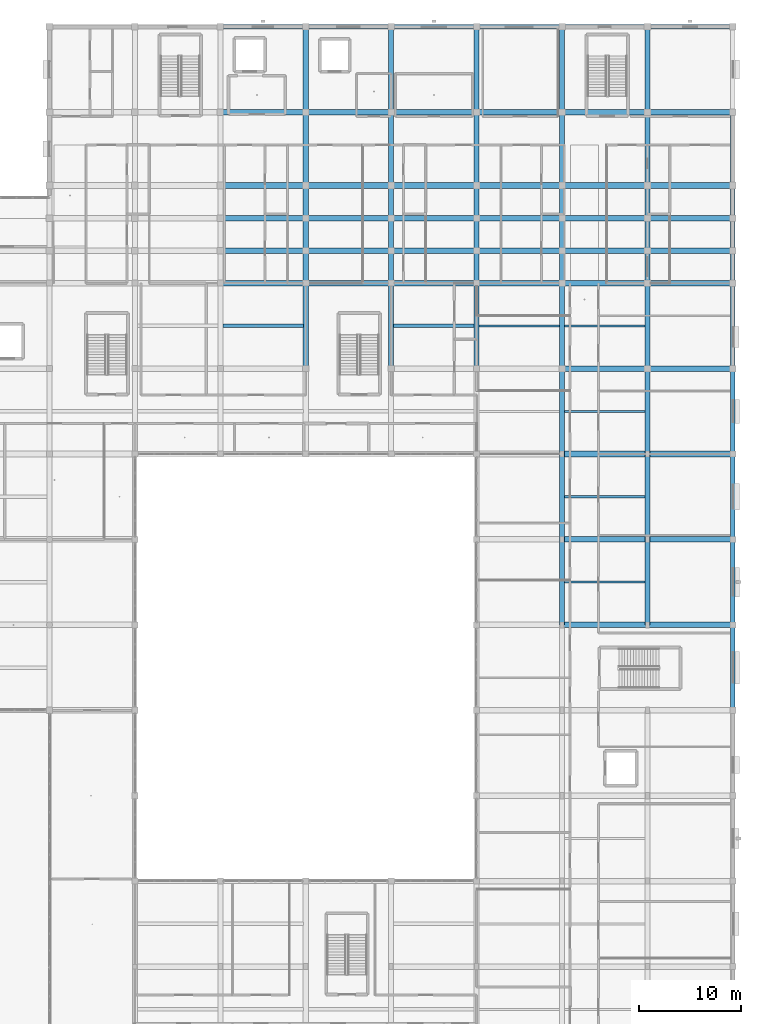
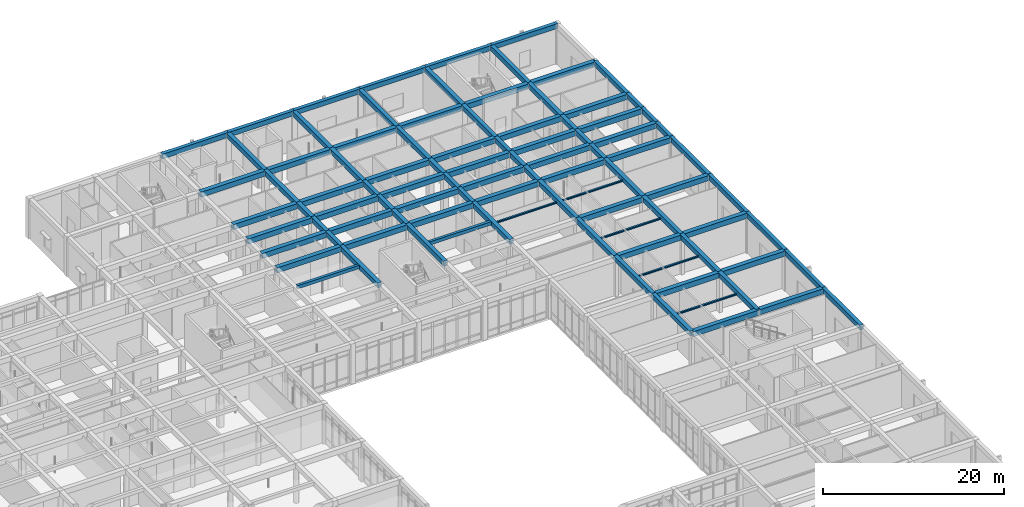
# One storey, part 53 of 157: 96 beams.
"""IFC4 building model written with IfcOpenShell, lengths in metres."""

from ifc_helpers import new_model, si_unit, direction, frame, origin, origin_2d, place, context, subcontext, project, spatial, rectangle, i_section, extrude, material, material_profile, profile_set, type_object, element, save


model = new_model("IFC4")

# Units and contexts
model_context = context("Model", 3, precision=1e-05, world=origin(), true_north=direction((0.0, 1.0)))
body_context = subcontext(model_context, "Body", "Model", "MODEL_VIEW")
ifc_project = project(units=[si_unit("LENGTHUNIT", "METRE"), si_unit("AREAUNIT", "SQUARE_METRE"), si_unit("VOLUMEUNIT", "CUBIC_METRE"), si_unit("PLANEANGLEUNIT", "RADIAN"), si_unit("MASSUNIT", "GRAM", prefix="KILO")], contexts=[model_context])

# Site, building, storey
site_placement = place(None, origin())
site = spatial("IfcSite", under=ifc_project, at=site_placement, CompositionType="ELEMENT")
building_placement = place(site_placement, origin())
building = spatial("IfcBuilding", under=site, at=building_placement, Name="Varncliffe General Hospital", CompositionType="ELEMENT")
storey_placement = place(building_placement, frame((0.0, 0.0, 5.39990234375)))
storey = spatial("IfcBuildingStorey", under=building, at=storey_placement, Name="L01", CompositionType="ELEMENT", Elevation=5.39990234375)

# Beams
ifc_material_1 = material(Name="Concrete C35/45 (CSA A23.1 35 MPa)", Category="concrete")
ifc_material_profile_1 = material_profile(ifc_material_1, rectangle(XDim=0.5, YDim=0.64990234375, at=origin_2d()), Name="RC 500x650")
ifc_profile_set_1 = profile_set([ifc_material_profile_1], Name="Concrete C35/45 (CSA A23.1 35 MPa)")
beam_type_1 = type_object("IfcBeamType", Name="Beam B29 (Int RC 500x650)", PredefinedType="BEAM", material=ifc_profile_set_1)
beam_1_placement = place(storey_placement, frame((134.39990234375, 91.199951171875, 5.0751953125), z_axis=(0.0, 1.0, 0.0), x_axis=(-1.0, 0.0, 0.0)))
element("IfcBeam", 1, at=beam_1_placement, inside=storey, type_object=beam_type_1, Name="L01 Primary Beam B29-445", PredefinedType="BEAM", context=body_context, shape_type="SweptSolid", body=[
    extrude(rectangle(XDim=0.5, YDim=0.64990234375, at=origin_2d()), origin(), (0.0, 0.0, 1.0), 8.400146484375),
])
for number, where, z_axis, x_axis, name in (
    (2, (134.39990234375, 99.60009765625, 5.0751953125), (0.0, 1.0, 0.0), (-1.0, 0.0, 0.0), "L01 Primary Beam B29-446"),
    (3, (134.39990234375, 102.800048828125, 5.0751953125), (0.0, 1.0, 0.0), (-1.0, 0.0, 0.0), "L01 Primary Beam B29-447"),
    (4, (134.39990234375, 106.0, 5.0751953125), (0.0, 1.0, 0.0), (-1.0, 0.0, 0.0), "L01 Primary Beam B29-448"),
):
    element("IfcBeam", number, at=place(storey_placement, frame(where, z_axis=z_axis, x_axis=x_axis)), inside=storey, type_object=beam_type_1, Name=name, PredefinedType="BEAM", context=body_context, shape_type="SweptSolid", body=[
        extrude(rectangle(XDim=0.5, YDim=0.64990234375, at=origin_2d()), origin(), (0.0, 0.0, 1.0), 3.199951171875),
    ])
beam_2_placement = place(storey_placement, frame((134.39990234375, 109.199951171875, 5.0751953125), z_axis=(0.0, 1.0, 0.0), x_axis=(-1.0, 0.0, 0.0)))
element("IfcBeam", 5, at=beam_2_placement, inside=storey, type_object=beam_type_1, Name="L01 Primary Beam B29-449", PredefinedType="BEAM", context=body_context, shape_type="SweptSolid", body=[
    extrude(rectangle(XDim=0.5, YDim=0.64990234375, at=origin_2d()), origin(), (0.0, 0.0, 1.0), 7.199951171875),
])
for number, where, z_axis, x_axis, name in (
    (6, (134.39990234375, 116.39990234375, 5.0751953125), (0.0, 1.0, 0.0), (-1.0, 0.0, 0.0), "L01 Primary Beam B29-450"),
    (7, (142.800048828125, 91.199951171875, 5.0751953125), (0.0, 1.0, 0.0), (-1.0, 0.0, 0.0), "L01 Primary Beam B29-454"),
):
    element("IfcBeam", number, at=place(storey_placement, frame(where, z_axis=z_axis, x_axis=x_axis)), inside=storey, type_object=beam_type_1, Name=name, PredefinedType="BEAM", context=body_context, shape_type="SweptSolid", body=[
        extrude(rectangle(XDim=0.5, YDim=0.64990234375, at=origin_2d()), origin(), (0.0, 0.0, 1.0), 8.400146484375),
    ])
for number, where, z_axis, x_axis, name in (
    (8, (142.800048828125, 99.60009765625, 5.0751953125), (0.0, 1.0, 0.0), (-1.0, 0.0, 0.0), "L01 Primary Beam B29-455"),
    (9, (142.800048828125, 102.800048828125, 5.0751953125), (0.0, 1.0, 0.0), (-1.0, 0.0, 0.0), "L01 Primary Beam B29-456"),
    (10, (142.800048828125, 106.0, 5.0751953125), (0.0, 1.0, 0.0), (-1.0, 0.0, 0.0), "L01 Primary Beam B29-457"),
):
    element("IfcBeam", number, at=place(storey_placement, frame(where, z_axis=z_axis, x_axis=x_axis)), inside=storey, type_object=beam_type_1, Name=name, PredefinedType="BEAM", context=body_context, shape_type="SweptSolid", body=[
        extrude(rectangle(XDim=0.5, YDim=0.64990234375, at=origin_2d()), origin(), (0.0, 0.0, 1.0), 3.199951171875),
    ])
beam_3_placement = place(storey_placement, frame((142.800048828125, 109.199951171875, 5.0751953125), z_axis=(0.0, 1.0, 0.0), x_axis=(-1.0, 0.0, 0.0)))
element("IfcBeam", 11, at=beam_3_placement, inside=storey, type_object=beam_type_1, Name="L01 Primary Beam B29-458", PredefinedType="BEAM", context=body_context, shape_type="SweptSolid", body=[
    extrude(rectangle(XDim=0.5, YDim=0.64990234375, at=origin_2d()), origin(), (0.0, 0.0, 1.0), 7.199951171875),
])
for number, where, z_axis, x_axis, name in (
    (12, (142.800048828125, 116.39990234375, 5.0751953125), (0.0, 1.0, 0.0), (-1.0, 0.0, 0.0), "L01 Primary Beam B29-459"),
    (13, (151.199951171875, 91.199951171875, 5.0751953125), (0.0, 1.0, 0.0), (-1.0, 0.0, 0.0), "L01 Primary Beam B29-471"),
):
    element("IfcBeam", number, at=place(storey_placement, frame(where, z_axis=z_axis, x_axis=x_axis)), inside=storey, type_object=beam_type_1, Name=name, PredefinedType="BEAM", context=body_context, shape_type="SweptSolid", body=[
        extrude(rectangle(XDim=0.5, YDim=0.64990234375, at=origin_2d()), origin(), (0.0, 0.0, 1.0), 8.400146484375),
    ])
for number, where, z_axis, x_axis, name in (
    (14, (151.199951171875, 99.60009765625, 5.0751953125), (0.0, 1.0, 0.0), (-1.0, 0.0, 0.0), "L01 Primary Beam B29-472"),
    (15, (151.199951171875, 102.800048828125, 5.0751953125), (0.0, 1.0, 0.0), (-1.0, 0.0, 0.0), "L01 Primary Beam B29-473"),
    (16, (151.199951171875, 106.0, 5.0751953125), (0.0, 1.0, 0.0), (-1.0, 0.0, 0.0), "L01 Primary Beam B29-474"),
):
    element("IfcBeam", number, at=place(storey_placement, frame(where, z_axis=z_axis, x_axis=x_axis)), inside=storey, type_object=beam_type_1, Name=name, PredefinedType="BEAM", context=body_context, shape_type="SweptSolid", body=[
        extrude(rectangle(XDim=0.5, YDim=0.64990234375, at=origin_2d()), origin(), (0.0, 0.0, 1.0), 3.199951171875),
    ])
beam_4_placement = place(storey_placement, frame((151.199951171875, 109.199951171875, 5.0751953125), z_axis=(0.0, 1.0, 0.0), x_axis=(-1.0, 0.0, 0.0)))
element("IfcBeam", 17, at=beam_4_placement, inside=storey, type_object=beam_type_1, Name="L01 Primary Beam B29-475", PredefinedType="BEAM", context=body_context, shape_type="SweptSolid", body=[
    extrude(rectangle(XDim=0.5, YDim=0.64990234375, at=origin_2d()), origin(), (0.0, 0.0, 1.0), 7.199951171875),
])
beam_5_placement = place(storey_placement, frame((151.199951171875, 116.39990234375, 5.0751953125), z_axis=(0.0, 1.0, 0.0), x_axis=(-1.0, 0.0, 0.0)))
element("IfcBeam", 18, at=beam_5_placement, inside=storey, type_object=beam_type_1, Name="L01 Primary Beam B29-476", PredefinedType="BEAM", context=body_context, shape_type="SweptSolid", body=[
    extrude(rectangle(XDim=0.5, YDim=0.64990234375, at=origin_2d()), origin(), (0.0, 0.0, 1.0), 8.400146484375),
])
beam_6_placement = place(storey_placement, frame((159.60009765625, 66.0, 5.0751953125), z_axis=(0.0, 1.0, 0.0), x_axis=(-1.0, 0.0, 0.0)))
element("IfcBeam", 19, at=beam_6_placement, inside=storey, type_object=beam_type_1, Name="L01 Primary Beam B29-485", PredefinedType="BEAM", context=body_context, shape_type="SweptSolid", body=[
    extrude(rectangle(XDim=0.5, YDim=0.64990234375, at=origin_2d()), origin(), (0.0, 0.0, 1.0), 8.39990234375),
])
beam_7_placement = place(storey_placement, frame((159.60009765625, 74.39990234375, 5.0751953125), z_axis=(0.0, 1.0, 0.0), x_axis=(-1.0, 0.0, 0.0)))
element("IfcBeam", 20, at=beam_7_placement, inside=storey, type_object=beam_type_1, Name="L01 Primary Beam B29-486", PredefinedType="BEAM", context=body_context, shape_type="SweptSolid", body=[
    extrude(rectangle(XDim=0.5, YDim=0.64990234375, at=origin_2d()), origin(), (0.0, 0.0, 1.0), 8.400146484375),
])
beam_8_placement = place(storey_placement, frame((159.60009765625, 82.800048828125, 5.0751953125), z_axis=(0.0, 1.0, 0.0), x_axis=(-1.0, 0.0, 0.0)))
element("IfcBeam", 21, at=beam_8_placement, inside=storey, type_object=beam_type_1, Name="L01 Primary Beam B29-487", PredefinedType="BEAM", context=body_context, shape_type="SweptSolid", body=[
    extrude(rectangle(XDim=0.5, YDim=0.64990234375, at=origin_2d()), origin(), (0.0, 0.0, 1.0), 8.39990234375),
])
beam_9_placement = place(storey_placement, frame((159.60009765625, 91.199951171875, 5.0751953125), z_axis=(0.0, 1.0, 0.0), x_axis=(-1.0, 0.0, 0.0)))
element("IfcBeam", 22, at=beam_9_placement, inside=storey, type_object=beam_type_1, Name="L01 Primary Beam B29-488", PredefinedType="BEAM", context=body_context, shape_type="SweptSolid", body=[
    extrude(rectangle(XDim=0.5, YDim=0.64990234375, at=origin_2d()), origin(), (0.0, 0.0, 1.0), 8.400146484375),
])
for number, where, z_axis, x_axis, name in (
    (23, (159.60009765625, 99.60009765625, 5.0751953125), (0.0, 1.0, 0.0), (-1.0, 0.0, 0.0), "L01 Primary Beam B29-489"),
    (24, (159.60009765625, 102.800048828125, 5.0751953125), (0.0, 1.0, 0.0), (-1.0, 0.0, 0.0), "L01 Primary Beam B29-490"),
    (25, (159.60009765625, 106.0, 5.0751953125), (0.0, 1.0, 0.0), (-1.0, 0.0, 0.0), "L01 Primary Beam B29-491"),
):
    element("IfcBeam", number, at=place(storey_placement, frame(where, z_axis=z_axis, x_axis=x_axis)), inside=storey, type_object=beam_type_1, Name=name, PredefinedType="BEAM", context=body_context, shape_type="SweptSolid", body=[
        extrude(rectangle(XDim=0.5, YDim=0.64990234375, at=origin_2d()), origin(), (0.0, 0.0, 1.0), 3.199951171875),
    ])
beam_10_placement = place(storey_placement, frame((159.60009765625, 109.199951171875, 5.0751953125), z_axis=(0.0, 1.0, 0.0), x_axis=(-1.0, 0.0, 0.0)))
element("IfcBeam", 26, at=beam_10_placement, inside=storey, type_object=beam_type_1, Name="L01 Primary Beam B29-492", PredefinedType="BEAM", context=body_context, shape_type="SweptSolid", body=[
    extrude(rectangle(XDim=0.5, YDim=0.64990234375, at=origin_2d()), origin(), (0.0, 0.0, 1.0), 7.199951171875),
])
beam_11_placement = place(storey_placement, frame((159.60009765625, 116.39990234375, 5.0751953125), z_axis=(0.0, 1.0, 0.0), x_axis=(-1.0, 0.0, 0.0)))
element("IfcBeam", 27, at=beam_11_placement, inside=storey, type_object=beam_type_1, Name="L01 Primary Beam B29-493", PredefinedType="BEAM", context=body_context, shape_type="SweptSolid", body=[
    extrude(rectangle(XDim=0.5, YDim=0.64990234375, at=origin_2d()), origin(), (0.0, 0.0, 1.0), 8.400146484375),
])
beam_12_placement = place(storey_placement, frame((168.0, 66.0, 5.0751953125), z_axis=(0.0, 1.0, 0.0), x_axis=(-1.0, 0.0, 0.0)))
element("IfcBeam", 28, at=beam_12_placement, inside=storey, type_object=beam_type_1, Name="L01 Primary Beam B29-500", PredefinedType="BEAM", context=body_context, shape_type="SweptSolid", body=[
    extrude(rectangle(XDim=0.5, YDim=0.64990234375, at=origin_2d()), origin(), (0.0, 0.0, 1.0), 8.39990234375),
])
beam_13_placement = place(storey_placement, frame((168.0, 74.39990234375, 5.0751953125), z_axis=(0.0, 1.0, 0.0), x_axis=(-1.0, 0.0, 0.0)))
element("IfcBeam", 29, at=beam_13_placement, inside=storey, type_object=beam_type_1, Name="L01 Primary Beam B29-501", PredefinedType="BEAM", context=body_context, shape_type="SweptSolid", body=[
    extrude(rectangle(XDim=0.5, YDim=0.64990234375, at=origin_2d()), origin(), (0.0, 0.0, 1.0), 8.400146484375),
])
beam_14_placement = place(storey_placement, frame((168.0, 82.800048828125, 5.0751953125), z_axis=(0.0, 1.0, 0.0), x_axis=(-1.0, 0.0, 0.0)))
element("IfcBeam", 30, at=beam_14_placement, inside=storey, type_object=beam_type_1, Name="L01 Primary Beam B29-502", PredefinedType="BEAM", context=body_context, shape_type="SweptSolid", body=[
    extrude(rectangle(XDim=0.5, YDim=0.64990234375, at=origin_2d()), origin(), (0.0, 0.0, 1.0), 8.39990234375),
])
beam_15_placement = place(storey_placement, frame((168.0, 91.199951171875, 5.0751953125), z_axis=(0.0, 1.0, 0.0), x_axis=(-1.0, 0.0, 0.0)))
element("IfcBeam", 31, at=beam_15_placement, inside=storey, type_object=beam_type_1, Name="L01 Primary Beam B29-503", PredefinedType="BEAM", context=body_context, shape_type="SweptSolid", body=[
    extrude(rectangle(XDim=0.5, YDim=0.64990234375, at=origin_2d()), origin(), (0.0, 0.0, 1.0), 8.400146484375),
])
for number, where, z_axis, x_axis, name in (
    (32, (168.0, 99.60009765625, 5.0751953125), (0.0, 1.0, 0.0), (-1.0, 0.0, 0.0), "L01 Primary Beam B29-504"),
    (33, (168.0, 102.800048828125, 5.0751953125), (0.0, 1.0, 0.0), (-1.0, 0.0, 0.0), "L01 Primary Beam B29-505"),
    (34, (168.0, 106.0, 5.0751953125), (0.0, 1.0, 0.0), (-1.0, 0.0, 0.0), "L01 Primary Beam B29-506"),
):
    element("IfcBeam", number, at=place(storey_placement, frame(where, z_axis=z_axis, x_axis=x_axis)), inside=storey, type_object=beam_type_1, Name=name, PredefinedType="BEAM", context=body_context, shape_type="SweptSolid", body=[
        extrude(rectangle(XDim=0.5, YDim=0.64990234375, at=origin_2d()), origin(), (0.0, 0.0, 1.0), 3.199951171875),
    ])
beam_16_placement = place(storey_placement, frame((168.0, 109.199951171875, 5.0751953125), z_axis=(0.0, 1.0, 0.0), x_axis=(-1.0, 0.0, 0.0)))
element("IfcBeam", 35, at=beam_16_placement, inside=storey, type_object=beam_type_1, Name="L01 Primary Beam B29-507", PredefinedType="BEAM", context=body_context, shape_type="SweptSolid", body=[
    extrude(rectangle(XDim=0.5, YDim=0.64990234375, at=origin_2d()), origin(), (0.0, 0.0, 1.0), 7.199951171875),
])
beam_17_placement = place(storey_placement, frame((168.0, 116.39990234375, 5.0751953125), z_axis=(0.0, 1.0, 0.0), x_axis=(-1.0, 0.0, 0.0)))
element("IfcBeam", 36, at=beam_17_placement, inside=storey, type_object=beam_type_1, Name="L01 Primary Beam B29-508", PredefinedType="BEAM", context=body_context, shape_type="SweptSolid", body=[
    extrude(rectangle(XDim=0.5, YDim=0.64990234375, at=origin_2d()), origin(), (0.0, 0.0, 1.0), 8.400146484375),
])
ifc_material_profile_2 = material_profile(ifc_material_1, rectangle(XDim=0.550048828125, YDim=0.699951171875, at=origin_2d()), Name="RC 550x700")
ifc_profile_set_2 = profile_set([ifc_material_profile_2], Name="Concrete C35/45 (CSA A23.1 35 MPa)")
beam_type_2 = type_object("IfcBeamType", Name="Beam B35 (Int RC 550x700)", PredefinedType="BEAM", material=ifc_profile_set_2)
for number, where, z_axis, x_axis, name in (
    (37, (159.60009765625, 66.0, 5.050048828125), (1.0, 0.0, 0.0), (0.0, 1.0, 0.0), "L01 Primary Beam B35-97"),
    (38, (168.0, 66.0, 5.050048828125), (1.0, 0.0, 0.0), (0.0, 1.0, 0.0), "L01 Primary Beam B35-98"),
    (39, (159.60009765625, 74.39990234375, 5.050048828125), (1.0, 0.0, 0.0), (0.0, 1.0, 0.0), "L01 Primary Beam B35-110"),
    (40, (168.0, 74.39990234375, 5.050048828125), (1.0, 0.0, 0.0), (0.0, 1.0, 0.0), "L01 Primary Beam B35-111"),
    (41, (159.60009765625, 82.800048828125, 5.050048828125), (1.0, 0.0, 0.0), (0.0, 1.0, 0.0), "L01 Primary Beam B35-131"),
    (42, (168.0, 82.800048828125, 5.050048828125), (1.0, 0.0, 0.0), (0.0, 1.0, 0.0), "L01 Primary Beam B35-132"),
    (43, (159.60009765625, 91.199951171875, 5.050048828125), (1.0, 0.0, 0.0), (0.0, 1.0, 0.0), "L01 Primary Beam B35-148"),
    (44, (168.0, 91.199951171875, 5.050048828125), (1.0, 0.0, 0.0), (0.0, 1.0, 0.0), "L01 Primary Beam B35-149"),
    (45, (126.0, 99.60009765625, 5.050048828125), (1.0, 0.0, 0.0), (0.0, 1.0, 0.0), "L01 Primary Beam B35-165"),
):
    element("IfcBeam", number, at=place(storey_placement, frame(where, z_axis=z_axis, x_axis=x_axis)), inside=storey, type_object=beam_type_2, Name=name, PredefinedType="BEAM", context=body_context, shape_type="SweptSolid", body=[
        extrude(rectangle(XDim=0.550048828125, YDim=0.699951171875, at=origin_2d()), origin(), (0.0, 0.0, 1.0), 8.39990234375),
    ])
beam_18_placement = place(storey_placement, frame((134.39990234375, 99.60009765625, 5.050048828125), z_axis=(1.0, 0.0, 0.0), x_axis=(0.0, 1.0, 0.0)))
element("IfcBeam", 46, at=beam_18_placement, inside=storey, type_object=beam_type_2, Name="L01 Primary Beam B35-166", PredefinedType="BEAM", context=body_context, shape_type="SweptSolid", body=[
    extrude(rectangle(XDim=0.550048828125, YDim=0.699951171875, at=origin_2d()), origin(), (0.0, 0.0, 1.0), 8.400146484375),
])
beam_19_placement = place(storey_placement, frame((142.800048828125, 99.60009765625, 5.050048828125), z_axis=(1.0, 0.0, 0.0), x_axis=(0.0, 1.0, 0.0)))
element("IfcBeam", 47, at=beam_19_placement, inside=storey, type_object=beam_type_2, Name="L01 Primary Beam B35-167", PredefinedType="BEAM", context=body_context, shape_type="SweptSolid", body=[
    extrude(rectangle(XDim=0.550048828125, YDim=0.699951171875, at=origin_2d()), origin(), (0.0, 0.0, 1.0), 8.39990234375),
])
beam_20_placement = place(storey_placement, frame((151.199951171875, 99.60009765625, 5.050048828125), z_axis=(1.0, 0.0, 0.0), x_axis=(0.0, 1.0, 0.0)))
element("IfcBeam", 48, at=beam_20_placement, inside=storey, type_object=beam_type_2, Name="L01 Primary Beam B35-168", PredefinedType="BEAM", context=body_context, shape_type="SweptSolid", body=[
    extrude(rectangle(XDim=0.550048828125, YDim=0.699951171875, at=origin_2d()), origin(), (0.0, 0.0, 1.0), 8.400146484375),
])
for number, where, z_axis, x_axis, name in (
    (49, (159.60009765625, 99.60009765625, 5.050048828125), (1.0, 0.0, 0.0), (0.0, 1.0, 0.0), "L01 Primary Beam B35-169"),
    (50, (168.0, 99.60009765625, 5.050048828125), (1.0, 0.0, 0.0), (0.0, 1.0, 0.0), "L01 Primary Beam B35-170"),
    (51, (126.0, 102.800048828125, 5.050048828125), (1.0, 0.0, 0.0), (0.0, 1.0, 0.0), "L01 Primary Beam B35-186"),
):
    element("IfcBeam", number, at=place(storey_placement, frame(where, z_axis=z_axis, x_axis=x_axis)), inside=storey, type_object=beam_type_2, Name=name, PredefinedType="BEAM", context=body_context, shape_type="SweptSolid", body=[
        extrude(rectangle(XDim=0.550048828125, YDim=0.699951171875, at=origin_2d()), origin(), (0.0, 0.0, 1.0), 8.39990234375),
    ])
beam_21_placement = place(storey_placement, frame((134.39990234375, 102.800048828125, 5.050048828125), z_axis=(1.0, 0.0, 0.0), x_axis=(0.0, 1.0, 0.0)))
element("IfcBeam", 52, at=beam_21_placement, inside=storey, type_object=beam_type_2, Name="L01 Primary Beam B35-187", PredefinedType="BEAM", context=body_context, shape_type="SweptSolid", body=[
    extrude(rectangle(XDim=0.550048828125, YDim=0.699951171875, at=origin_2d()), origin(), (0.0, 0.0, 1.0), 8.400146484375),
])
beam_22_placement = place(storey_placement, frame((142.800048828125, 102.800048828125, 5.050048828125), z_axis=(1.0, 0.0, 0.0), x_axis=(0.0, 1.0, 0.0)))
element("IfcBeam", 53, at=beam_22_placement, inside=storey, type_object=beam_type_2, Name="L01 Primary Beam B35-188", PredefinedType="BEAM", context=body_context, shape_type="SweptSolid", body=[
    extrude(rectangle(XDim=0.550048828125, YDim=0.699951171875, at=origin_2d()), origin(), (0.0, 0.0, 1.0), 8.39990234375),
])
beam_23_placement = place(storey_placement, frame((151.199951171875, 102.800048828125, 5.050048828125), z_axis=(1.0, 0.0, 0.0), x_axis=(0.0, 1.0, 0.0)))
element("IfcBeam", 54, at=beam_23_placement, inside=storey, type_object=beam_type_2, Name="L01 Primary Beam B35-189", PredefinedType="BEAM", context=body_context, shape_type="SweptSolid", body=[
    extrude(rectangle(XDim=0.550048828125, YDim=0.699951171875, at=origin_2d()), origin(), (0.0, 0.0, 1.0), 8.400146484375),
])
for number, where, z_axis, x_axis, name in (
    (55, (159.60009765625, 102.800048828125, 5.050048828125), (1.0, 0.0, 0.0), (0.0, 1.0, 0.0), "L01 Primary Beam B35-190"),
    (56, (168.0, 102.800048828125, 5.050048828125), (1.0, 0.0, 0.0), (0.0, 1.0, 0.0), "L01 Primary Beam B35-191"),
    (57, (126.0, 106.0, 5.050048828125), (1.0, 0.0, 0.0), (0.0, 1.0, 0.0), "L01 Primary Beam B35-202"),
):
    element("IfcBeam", number, at=place(storey_placement, frame(where, z_axis=z_axis, x_axis=x_axis)), inside=storey, type_object=beam_type_2, Name=name, PredefinedType="BEAM", context=body_context, shape_type="SweptSolid", body=[
        extrude(rectangle(XDim=0.550048828125, YDim=0.699951171875, at=origin_2d()), origin(), (0.0, 0.0, 1.0), 8.39990234375),
    ])
beam_24_placement = place(storey_placement, frame((134.39990234375, 106.0, 5.050048828125), z_axis=(1.0, 0.0, 0.0), x_axis=(0.0, 1.0, 0.0)))
element("IfcBeam", 58, at=beam_24_placement, inside=storey, type_object=beam_type_2, Name="L01 Primary Beam B35-203", PredefinedType="BEAM", context=body_context, shape_type="SweptSolid", body=[
    extrude(rectangle(XDim=0.550048828125, YDim=0.699951171875, at=origin_2d()), origin(), (0.0, 0.0, 1.0), 8.400146484375),
])
beam_25_placement = place(storey_placement, frame((142.800048828125, 106.0, 5.050048828125), z_axis=(1.0, 0.0, 0.0), x_axis=(0.0, 1.0, 0.0)))
element("IfcBeam", 59, at=beam_25_placement, inside=storey, type_object=beam_type_2, Name="L01 Primary Beam B35-204", PredefinedType="BEAM", context=body_context, shape_type="SweptSolid", body=[
    extrude(rectangle(XDim=0.550048828125, YDim=0.699951171875, at=origin_2d()), origin(), (0.0, 0.0, 1.0), 8.39990234375),
])
beam_26_placement = place(storey_placement, frame((151.199951171875, 106.0, 5.050048828125), z_axis=(1.0, 0.0, 0.0), x_axis=(0.0, 1.0, 0.0)))
element("IfcBeam", 60, at=beam_26_placement, inside=storey, type_object=beam_type_2, Name="L01 Primary Beam B35-205", PredefinedType="BEAM", context=body_context, shape_type="SweptSolid", body=[
    extrude(rectangle(XDim=0.550048828125, YDim=0.699951171875, at=origin_2d()), origin(), (0.0, 0.0, 1.0), 8.400146484375),
])
for number, where, z_axis, x_axis, name in (
    (61, (159.60009765625, 106.0, 5.050048828125), (1.0, 0.0, 0.0), (0.0, 1.0, 0.0), "L01 Primary Beam B35-206"),
    (62, (168.0, 106.0, 5.050048828125), (1.0, 0.0, 0.0), (0.0, 1.0, 0.0), "L01 Primary Beam B35-207"),
    (63, (126.0, 109.199951171875, 5.050048828125), (1.0, 0.0, 0.0), (0.0, 1.0, 0.0), "L01 Primary Beam B35-221"),
):
    element("IfcBeam", number, at=place(storey_placement, frame(where, z_axis=z_axis, x_axis=x_axis)), inside=storey, type_object=beam_type_2, Name=name, PredefinedType="BEAM", context=body_context, shape_type="SweptSolid", body=[
        extrude(rectangle(XDim=0.550048828125, YDim=0.699951171875, at=origin_2d()), origin(), (0.0, 0.0, 1.0), 8.39990234375),
    ])
beam_27_placement = place(storey_placement, frame((134.39990234375, 109.199951171875, 5.050048828125), z_axis=(1.0, 0.0, 0.0), x_axis=(0.0, 1.0, 0.0)))
element("IfcBeam", 64, at=beam_27_placement, inside=storey, type_object=beam_type_2, Name="L01 Primary Beam B35-222", PredefinedType="BEAM", context=body_context, shape_type="SweptSolid", body=[
    extrude(rectangle(XDim=0.550048828125, YDim=0.699951171875, at=origin_2d()), origin(), (0.0, 0.0, 1.0), 8.400146484375),
])
beam_28_placement = place(storey_placement, frame((142.800048828125, 109.199951171875, 5.050048828125), z_axis=(1.0, 0.0, 0.0), x_axis=(0.0, 1.0, 0.0)))
element("IfcBeam", 65, at=beam_28_placement, inside=storey, type_object=beam_type_2, Name="L01 Primary Beam B35-223", PredefinedType="BEAM", context=body_context, shape_type="SweptSolid", body=[
    extrude(rectangle(XDim=0.550048828125, YDim=0.699951171875, at=origin_2d()), origin(), (0.0, 0.0, 1.0), 8.39990234375),
])
beam_29_placement = place(storey_placement, frame((151.199951171875, 109.199951171875, 5.050048828125), z_axis=(1.0, 0.0, 0.0), x_axis=(0.0, 1.0, 0.0)))
element("IfcBeam", 66, at=beam_29_placement, inside=storey, type_object=beam_type_2, Name="L01 Primary Beam B35-224", PredefinedType="BEAM", context=body_context, shape_type="SweptSolid", body=[
    extrude(rectangle(XDim=0.550048828125, YDim=0.699951171875, at=origin_2d()), origin(), (0.0, 0.0, 1.0), 8.400146484375),
])
for number, where, z_axis, x_axis, name in (
    (67, (159.60009765625, 109.199951171875, 5.050048828125), (1.0, 0.0, 0.0), (0.0, 1.0, 0.0), "L01 Primary Beam B35-225"),
    (68, (168.0, 109.199951171875, 5.050048828125), (1.0, 0.0, 0.0), (0.0, 1.0, 0.0), "L01 Primary Beam B35-226"),
    (69, (126.0, 116.39990234375, 5.050048828125), (1.0, 0.0, 0.0), (0.0, 1.0, 0.0), "L01 Primary Beam B35-237"),
):
    element("IfcBeam", number, at=place(storey_placement, frame(where, z_axis=z_axis, x_axis=x_axis)), inside=storey, type_object=beam_type_2, Name=name, PredefinedType="BEAM", context=body_context, shape_type="SweptSolid", body=[
        extrude(rectangle(XDim=0.550048828125, YDim=0.699951171875, at=origin_2d()), origin(), (0.0, 0.0, 1.0), 8.39990234375),
    ])
beam_30_placement = place(storey_placement, frame((134.39990234375, 116.39990234375, 5.050048828125), z_axis=(1.0, 0.0, 0.0), x_axis=(0.0, 1.0, 0.0)))
element("IfcBeam", 70, at=beam_30_placement, inside=storey, type_object=beam_type_2, Name="L01 Primary Beam B35-238", PredefinedType="BEAM", context=body_context, shape_type="SweptSolid", body=[
    extrude(rectangle(XDim=0.550048828125, YDim=0.699951171875, at=origin_2d()), origin(), (0.0, 0.0, 1.0), 8.400146484375),
])
beam_31_placement = place(storey_placement, frame((142.800048828125, 116.39990234375, 5.050048828125), z_axis=(1.0, 0.0, 0.0), x_axis=(0.0, 1.0, 0.0)))
element("IfcBeam", 71, at=beam_31_placement, inside=storey, type_object=beam_type_2, Name="L01 Primary Beam B35-239", PredefinedType="BEAM", context=body_context, shape_type="SweptSolid", body=[
    extrude(rectangle(XDim=0.550048828125, YDim=0.699951171875, at=origin_2d()), origin(), (0.0, 0.0, 1.0), 8.39990234375),
])
beam_32_placement = place(storey_placement, frame((151.199951171875, 116.39990234375, 5.050048828125), z_axis=(1.0, 0.0, 0.0), x_axis=(0.0, 1.0, 0.0)))
element("IfcBeam", 72, at=beam_32_placement, inside=storey, type_object=beam_type_2, Name="L01 Primary Beam B35-240", PredefinedType="BEAM", context=body_context, shape_type="SweptSolid", body=[
    extrude(rectangle(XDim=0.550048828125, YDim=0.699951171875, at=origin_2d()), origin(), (0.0, 0.0, 1.0), 8.400146484375),
])
for number, where, z_axis, x_axis, name in (
    (73, (159.60009765625, 116.39990234375, 5.050048828125), (1.0, 0.0, 0.0), (0.0, 1.0, 0.0), "L01 Primary Beam B35-241"),
    (74, (168.0, 116.39990234375, 5.050048828125), (1.0, 0.0, 0.0), (0.0, 1.0, 0.0), "L01 Primary Beam B35-242"),
):
    element("IfcBeam", number, at=place(storey_placement, frame(where, z_axis=z_axis, x_axis=x_axis)), inside=storey, type_object=beam_type_2, Name=name, PredefinedType="BEAM", context=body_context, shape_type="SweptSolid", body=[
        extrude(rectangle(XDim=0.550048828125, YDim=0.699951171875, at=origin_2d()), origin(), (0.0, 0.0, 1.0), 8.39990234375),
    ])
ifc_material_2 = material(Name="Steel S355 (CSA G40.21 350W)", Category="steel")
ifc_material_profile_3 = material_profile(ifc_material_2, i_section(OverallWidth=0.2041015625, OverallDepth=0.2060546875, WebThickness=0.0078125, FlangeThickness=0.0126953125, FilletRadius=0.010986328125, at=origin_2d()), Name="W200x52")
ifc_profile_set_3 = profile_set([ifc_material_profile_3], Name="Steel S355 (CSA G40.21 350W)")
beam_type_3 = type_object("IfcBeamType", Name="Joist J27 (Int W200x52)", PredefinedType="JOIST", material=ifc_profile_set_3)
for number, where, z_axis, x_axis, name in (
    (75, (151.447998046875, 95.39990234375, 4.93701171875), (1.0, 0.0, 0.0), (0.0, 1.0, 0.0), "L01 Secondary Floor Rib J27-75"),
    (76, (159.847900390625, 70.199951171875, 4.93701171875), (1.0, 0.0, 0.0), (0.0, 1.0, 0.0), "L01 Secondary Floor Rib J27-80"),
    (77, (159.847900390625, 78.60009765625, 4.93701171875), (1.0, 0.0, 0.0), (0.0, 1.0, 0.0), "L01 Secondary Floor Rib J27-81"),
    (78, (159.847900390625, 87.0, 4.93701171875), (1.0, 0.0, 0.0), (0.0, 1.0, 0.0), "L01 Secondary Floor Rib J27-82"),
    (79, (159.847900390625, 95.39990234375, 4.93701171875), (1.0, 0.0, 0.0), (0.0, 1.0, 0.0), "L01 Secondary Floor Rib J27-83"),
):
    element("IfcBeam", number, at=place(storey_placement, frame(where, z_axis=z_axis, x_axis=x_axis)), inside=storey, type_object=beam_type_3, Name=name, PredefinedType="JOIST", context=body_context, shape_type="SweptSolid", body=[
        extrude(i_section(OverallWidth=0.2041015625, OverallDepth=0.2060546875, WebThickness=0.0078125, FlangeThickness=0.0126953125, FilletRadius=0.010986328125, at=origin_2d()), origin(), (0.0, 0.0, 1.0), 7.904052734375),
    ])
ifc_material_profile_4 = material_profile(ifc_material_1, rectangle(XDim=0.35009765625, YDim=0.449951171875, at=origin_2d()), Name="RC 350x450")
ifc_profile_set_4 = profile_set([ifc_material_profile_4], Name="Concrete C35/45 (CSA A23.1 35 MPa)")
beam_type_4 = type_object("IfcBeamType", Name="Joist J55 (Int RC 350x450)", PredefinedType="JOIST", material=ifc_profile_set_4)
beam_33_placement = place(storey_placement, frame((126.248046875, 95.39990234375, 5.175048828125), z_axis=(1.0, 0.0, 0.0), x_axis=(0.0, 1.0, 0.0)))
element("IfcBeam", 80, at=beam_33_placement, inside=storey, type_object=beam_type_4, Name="L01 Secondary Floor Rib J55-65", PredefinedType="JOIST", context=body_context, shape_type="SweptSolid", body=[
    extrude(rectangle(XDim=0.35009765625, YDim=0.449951171875, at=origin_2d()), origin(), (0.0, 0.0, 1.0), 7.904052734375),
])
beam_34_placement = place(storey_placement, frame((143.048095703125, 95.39990234375, 5.175048828125), z_axis=(1.0, 0.0, 0.0), x_axis=(0.0, 1.0, 0.0)))
element("IfcBeam", 81, at=beam_34_placement, inside=storey, type_object=beam_type_4, Name="L01 Secondary Floor Rib J55-71", PredefinedType="JOIST", context=body_context, shape_type="SweptSolid", body=[
    extrude(rectangle(XDim=0.35009765625, YDim=0.449951171875, at=origin_2d()), origin(), (0.0, 0.0, 1.0), 7.90380859375),
])
ifc_material_profile_5 = material_profile(ifc_material_1, rectangle(XDim=0.449951171875, YDim=0.64990234375, at=origin_2d()), Name="RC 450x650")
ifc_profile_set_5 = profile_set([ifc_material_profile_5], Name="Concrete C35/45 (CSA A23.1 35 MPa)")
beam_type_5 = type_object("IfcBeamType", Name="Spandrel SP38 (Ext RC 450x650B)", PredefinedType="SPANDREL", material=ifc_profile_set_5)
beam_35_placement = place(storey_placement, frame((126.0, 124.800048828125, 5.0751953125), z_axis=(1.0, 0.0, 0.0), x_axis=(0.0, 1.0, 0.0)))
element("IfcBeam", 82, at=beam_35_placement, inside=storey, type_object=beam_type_5, Name="L01 Spandrel Beam SP38-253", PredefinedType="SPANDREL", context=body_context, shape_type="SweptSolid", body=[
    extrude(rectangle(XDim=0.449951171875, YDim=0.64990234375, at=origin_2d()), origin(), (0.0, 0.0, 1.0), 8.39990234375),
])
beam_36_placement = place(storey_placement, frame((134.39990234375, 124.800048828125, 5.0751953125), z_axis=(1.0, 0.0, 0.0), x_axis=(0.0, 1.0, 0.0)))
element("IfcBeam", 83, at=beam_36_placement, inside=storey, type_object=beam_type_5, Name="L01 Spandrel Beam SP38-254", PredefinedType="SPANDREL", context=body_context, shape_type="SweptSolid", body=[
    extrude(rectangle(XDim=0.449951171875, YDim=0.64990234375, at=origin_2d()), origin(), (0.0, 0.0, 1.0), 8.400146484375),
])
beam_37_placement = place(storey_placement, frame((142.800048828125, 124.800048828125, 5.0751953125), z_axis=(1.0, 0.0, 0.0), x_axis=(0.0, 1.0, 0.0)))
element("IfcBeam", 84, at=beam_37_placement, inside=storey, type_object=beam_type_5, Name="L01 Spandrel Beam SP38-255", PredefinedType="SPANDREL", context=body_context, shape_type="SweptSolid", body=[
    extrude(rectangle(XDim=0.449951171875, YDim=0.64990234375, at=origin_2d()), origin(), (0.0, 0.0, 1.0), 8.39990234375),
])
beam_38_placement = place(storey_placement, frame((151.199951171875, 124.800048828125, 5.0751953125), z_axis=(1.0, 0.0, 0.0), x_axis=(0.0, 1.0, 0.0)))
element("IfcBeam", 85, at=beam_38_placement, inside=storey, type_object=beam_type_5, Name="L01 Spandrel Beam SP38-256", PredefinedType="SPANDREL", context=body_context, shape_type="SweptSolid", body=[
    extrude(rectangle(XDim=0.449951171875, YDim=0.64990234375, at=origin_2d()), origin(), (0.0, 0.0, 1.0), 8.400146484375),
])
for number, where, z_axis, x_axis, name in (
    (86, (159.60009765625, 124.800048828125, 5.0751953125), (1.0, 0.0, 0.0), (0.0, 1.0, 0.0), "L01 Spandrel Beam SP38-257"),
    (87, (168.0, 124.800048828125, 5.0751953125), (1.0, 0.0, 0.0), (0.0, 1.0, 0.0), "L01 Spandrel Beam SP38-258"),
    (88, (176.39990234375, 57.60009765625, 5.0751953125), (0.0, 1.0, 0.0), (-1.0, 0.0, 0.0), "L01 Spandrel Beam SP38-516"),
    (89, (176.39990234375, 66.0, 5.0751953125), (0.0, 1.0, 0.0), (-1.0, 0.0, 0.0), "L01 Spandrel Beam SP38-517"),
):
    element("IfcBeam", number, at=place(storey_placement, frame(where, z_axis=z_axis, x_axis=x_axis)), inside=storey, type_object=beam_type_5, Name=name, PredefinedType="SPANDREL", context=body_context, shape_type="SweptSolid", body=[
        extrude(rectangle(XDim=0.449951171875, YDim=0.64990234375, at=origin_2d()), origin(), (0.0, 0.0, 1.0), 8.39990234375),
    ])
beam_39_placement = place(storey_placement, frame((176.39990234375, 74.39990234375, 5.0751953125), z_axis=(0.0, 1.0, 0.0), x_axis=(-1.0, 0.0, 0.0)))
element("IfcBeam", 90, at=beam_39_placement, inside=storey, type_object=beam_type_5, Name="L01 Spandrel Beam SP38-518", PredefinedType="SPANDREL", context=body_context, shape_type="SweptSolid", body=[
    extrude(rectangle(XDim=0.449951171875, YDim=0.64990234375, at=origin_2d()), origin(), (0.0, 0.0, 1.0), 8.400146484375),
])
beam_40_placement = place(storey_placement, frame((176.39990234375, 82.800048828125, 5.0751953125), z_axis=(0.0, 1.0, 0.0), x_axis=(-1.0, 0.0, 0.0)))
element("IfcBeam", 91, at=beam_40_placement, inside=storey, type_object=beam_type_5, Name="L01 Spandrel Beam SP38-519", PredefinedType="SPANDREL", context=body_context, shape_type="SweptSolid", body=[
    extrude(rectangle(XDim=0.449951171875, YDim=0.64990234375, at=origin_2d()), origin(), (0.0, 0.0, 1.0), 8.39990234375),
])
beam_41_placement = place(storey_placement, frame((176.39990234375, 91.199951171875, 5.0751953125), z_axis=(0.0, 1.0, 0.0), x_axis=(-1.0, 0.0, 0.0)))
element("IfcBeam", 92, at=beam_41_placement, inside=storey, type_object=beam_type_5, Name="L01 Spandrel Beam SP38-520", PredefinedType="SPANDREL", context=body_context, shape_type="SweptSolid", body=[
    extrude(rectangle(XDim=0.449951171875, YDim=0.64990234375, at=origin_2d()), origin(), (0.0, 0.0, 1.0), 8.400146484375),
])
for number, where, z_axis, x_axis, name in (
    (93, (176.39990234375, 99.60009765625, 5.0751953125), (0.0, 1.0, 0.0), (-1.0, 0.0, 0.0), "L01 Spandrel Beam SP38-521"),
    (94, (176.39990234375, 102.800048828125, 5.0751953125), (0.0, 1.0, 0.0), (-1.0, 0.0, 0.0), "L01 Spandrel Beam SP38-522"),
    (95, (176.39990234375, 106.0, 5.0751953125), (0.0, 1.0, 0.0), (-1.0, 0.0, 0.0), "L01 Spandrel Beam SP38-523"),
):
    element("IfcBeam", number, at=place(storey_placement, frame(where, z_axis=z_axis, x_axis=x_axis)), inside=storey, type_object=beam_type_5, Name=name, PredefinedType="SPANDREL", context=body_context, shape_type="SweptSolid", body=[
        extrude(rectangle(XDim=0.449951171875, YDim=0.64990234375, at=origin_2d()), origin(), (0.0, 0.0, 1.0), 3.199951171875),
    ])
beam_42_placement = place(storey_placement, frame((176.39990234375, 109.199951171875, 5.0751953125), z_axis=(0.0, 1.0, 0.0), x_axis=(-1.0, 0.0, 0.0)))
element("IfcBeam", 96, at=beam_42_placement, inside=storey, type_object=beam_type_5, Name="L01 Spandrel Beam SP38-524", PredefinedType="SPANDREL", context=body_context, shape_type="SweptSolid", body=[
    extrude(rectangle(XDim=0.449951171875, YDim=0.64990234375, at=origin_2d()), origin(), (0.0, 0.0, 1.0), 7.199951171875),
])

save(model, "model.ifc")
